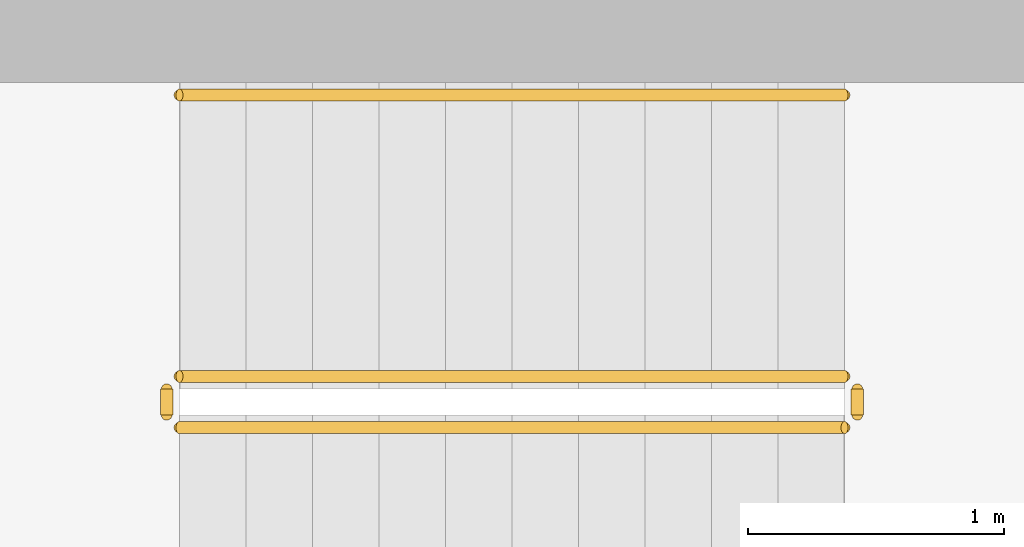
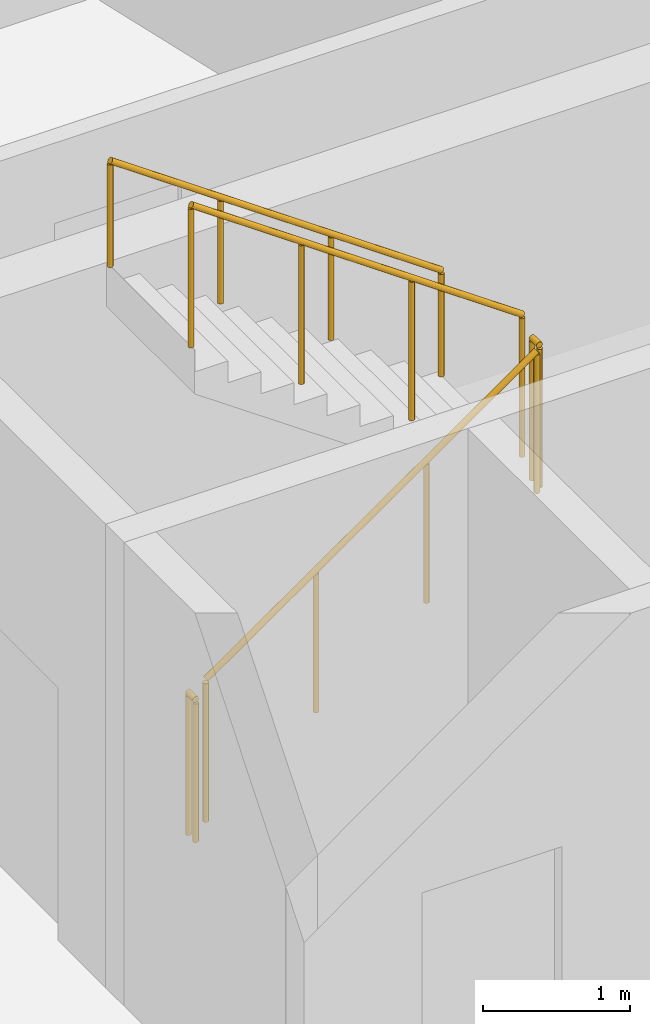
# One storey, part 16 of 19: 5 railings.
"""IFC4 building model written with IfcOpenShell, lengths in metres."""

from ifc_helpers import new_model, si_unit, direction, frame, origin, origin_2d, place, context, subcontext, project, spatial, circle, extrude, material, type_object, element, save


model = new_model("IFC4")

# Units and contexts
model_context = context("Model", 3, precision=1e-05, world=origin(), true_north=direction((0.0, 1.0)))
body_context = subcontext(model_context, "Body", "Model", "MODEL_VIEW")
ifc_project = project(units=[si_unit("LENGTHUNIT", "METRE"), si_unit("AREAUNIT", "SQUARE_METRE"), si_unit("VOLUMEUNIT", "CUBIC_METRE"), si_unit("PLANEANGLEUNIT", "RADIAN"), si_unit("MASSUNIT", "GRAM", prefix="KILO")], contexts=[model_context])

# Site, building, storey
site_placement = place(None, origin())
site = spatial("IfcSite", under=ifc_project, at=site_placement, CompositionType="ELEMENT")
building_placement = place(site_placement, origin())
building = spatial("IfcBuilding", under=site, at=building_placement, Name="Sahrelin Media Tower", CompositionType="ELEMENT")
storey_placement = place(building_placement, frame((0.0, 0.0, 241.60009765625)))
storey = spatial("IfcBuildingStorey", under=building, at=storey_placement, Name="L52", CompositionType="ELEMENT", Elevation=241.60009765625)

# Railings
ifc_material = material(Name="Steel S355", Category="steel")
railing_type_1 = type_object("IfcRailingType", Name="Stair guard 1200", PredefinedType="GUARDRAIL", material=ifc_material)
railing_1_placement = place(storey_placement, frame((-7.675048828125, 5.25, 0.181640625)))
element("IfcRailing", 1, at=railing_1_placement, inside=storey, type_object=railing_type_1, Name="L52 ST1 stair guard 1", PredefinedType="GUARDRAIL", context=body_context, shape_type="SweptSolid", body=[
    extrude(circle(Radius=0.02392578125, at=origin_2d()), frame((0.0, 0.0, 1.17578125), z_axis=(0.819484887739, 0.0, 0.573100792852), x_axis=(0.0, 1.0, 0.0)), (0.0, 0.0, 1.0), 3.1728515625),
    extrude(circle(Radius=0.02099609375, at=origin_2d()), origin(), (0.0, 0.0, 1.0), 1.15185546875),
    extrude(circle(Radius=0.02099609375, at=origin_2d()), frame((0.86669921875, 0.0, 0.606201171875)), (0.0, 0.0, 1.0), 1.15185546875),
    extrude(circle(Radius=0.02099609375, at=origin_2d()), frame((1.7333984375, 0.0, 1.212158203125)), (0.0, 0.0, 1.0), 1.15185546875),
    extrude(circle(Radius=0.02099609375, at=origin_2d()), frame((2.60009765625, 0.0, 1.818359375)), (0.0, 0.0, 1.0), 1.15185546875),
])
railing_2_placement = place(storey_placement, frame((-5.02490234375, 5.300048828125, 2.0)))
element("IfcRailing", 2, at=railing_2_placement, inside=storey, type_object=railing_type_1, Name="L52 ST1 stair guard 2", PredefinedType="GUARDRAIL", context=body_context, shape_type="SweptSolid", body=[
    extrude(circle(Radius=0.02392578125, at=origin_2d()), frame((0.0, 0.0, 1.17578125), z_axis=(0.0, 1.0, 0.0), x_axis=(-1.0, 0.0, 0.0)), (0.0, 0.0, 1.0), 0.099853515625),
    extrude(circle(Radius=0.02099609375, at=origin_2d()), origin(), (0.0, 0.0, 1.0), 1.15185546875),
    extrude(circle(Radius=0.02099609375, at=origin_2d()), frame((0.0, 0.099853515625, 0.0)), (0.0, 0.0, 1.0), 1.15185546875),
])
railing_3_placement = place(storey_placement, frame((-5.074951171875, 5.449951171875, 2.181640625)))
element("IfcRailing", 3, at=railing_3_placement, inside=storey, type_object=railing_type_1, Name="L52 ST1 stair guard 3", PredefinedType="GUARDRAIL", context=body_context, shape_type="SweptSolid", body=[
    extrude(circle(Radius=0.02392578125, at=origin_2d()), frame((0.0, 0.0, 1.17578125), z_axis=(-0.819484887739, 0.0, 0.573100792852), x_axis=(0.0, -1.0, 0.0)), (0.0, 0.0, 1.0), 3.1728515625),
    extrude(circle(Radius=0.02099609375, at=origin_2d()), origin(), (0.0, 0.0, 1.0), 1.15185546875),
    extrude(circle(Radius=0.02099609375, at=origin_2d()), frame((-0.86669921875, 0.0, 0.606201171875)), (0.0, 0.0, 1.0), 1.15185546875),
    extrude(circle(Radius=0.02099609375, at=origin_2d()), frame((-1.7333984375, 0.0, 1.212158203125)), (0.0, 0.0, 1.0), 1.15185546875),
    extrude(circle(Radius=0.02099609375, at=origin_2d()), frame((-2.60009765625, 0.0, 1.818359375)), (0.0, 0.0, 1.0), 1.15185546875),
])
railing_4_placement = place(storey_placement, frame((-7.72509765625, 5.300048828125, 0.0)))
element("IfcRailing", 4, at=railing_4_placement, inside=storey, type_object=railing_type_1, Name="L52 ST1 stair guard 4", PredefinedType="GUARDRAIL", context=body_context, shape_type="SweptSolid", body=[
    extrude(circle(Radius=0.02392578125, at=origin_2d()), frame((0.0, 0.0, 1.17578125), z_axis=(0.0, 1.0, 0.0), x_axis=(-1.0, 0.0, 0.0)), (0.0, 0.0, 1.0), 0.099853515625),
    extrude(circle(Radius=0.02099609375, at=origin_2d()), origin(), (0.0, 0.0, 1.0), 1.15185546875),
    extrude(circle(Radius=0.02099609375, at=origin_2d()), frame((0.0, 0.099853515625, 0.0)), (0.0, 0.0, 1.0), 1.15185546875),
])
railing_type_2 = type_object("IfcRailingType", Name="Stair handrail 900", PredefinedType="HANDRAIL", material=ifc_material)
railing_5_placement = place(storey_placement, frame((-5.074951171875, 6.550048828125, 2.181640625)))
element("IfcRailing", 5, at=railing_5_placement, inside=storey, type_object=railing_type_2, Name="L52 ST1 stair handrail 2", PredefinedType="HANDRAIL", context=body_context, shape_type="SweptSolid", body=[
    extrude(circle(Radius=0.02392578125, at=origin_2d()), frame((0.0, 0.0, 0.8759765625), z_axis=(-0.819484887739, 0.0, 0.573100792852), x_axis=(0.0, -1.0, 0.0)), (0.0, 0.0, 1.0), 3.1728515625),
    extrude(circle(Radius=0.02099609375, at=origin_2d()), origin(), (0.0, 0.0, 1.0), 0.851806640625),
    extrude(circle(Radius=0.02099609375, at=origin_2d()), frame((-0.86669921875, 0.0, 0.606201171875)), (0.0, 0.0, 1.0), 0.851806640625),
    extrude(circle(Radius=0.02099609375, at=origin_2d()), frame((-1.7333984375, 0.0, 1.212158203125)), (0.0, 0.0, 1.0), 0.851806640625),
    extrude(circle(Radius=0.02099609375, at=origin_2d()), frame((-2.60009765625, 0.0, 1.818359375)), (0.0, 0.0, 1.0), 0.851806640625),
])

save(model, "model.ifc")
